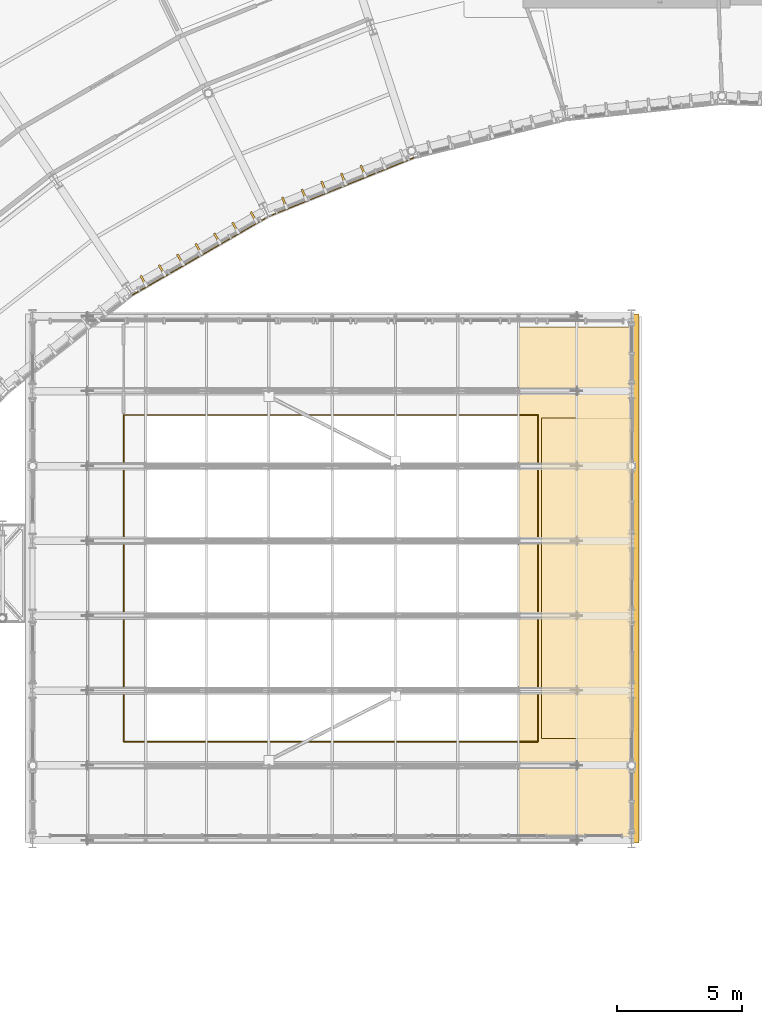
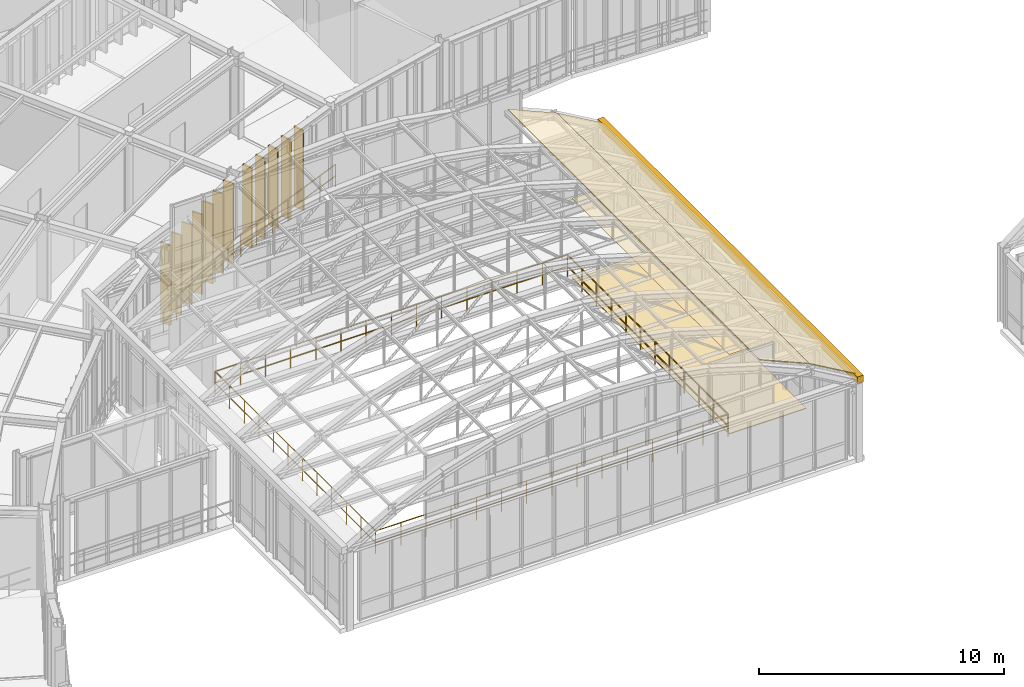
# One storey, part 142 of 148: 17 coverings, 4 railings.
"""IFC4 building model written with IfcOpenShell, lengths in metres."""

import ifcopenshell
import ifcopenshell.guid

model = None  # the IFC model being written
_history = None  # IfcOwnerHistory: only IFC2X3 demands one
_inside = {}  # id of a spatial element -> (the spatial element, [elements in it])
_under = {}  # id of a project, library or spatial element -> (it, [spatial elements below it])
_declared = {}  # id of a project -> (the project, [libraries it declares])
_typed = {}  # id of a type object -> (the type object, [elements of that type])
_made_of = {}  # id of a material, layer set ... -> (it, [elements and type objects made of it])


def new_model(schema):
    """Start an empty IFC model of exactly this schema.

    Asked for "IFC4X3", IfcOpenShell would pick the latest addendum, in which some entities
    have other attributes; the version numbers below select the first issue.
    IFC2X3 requires an IfcOwnerHistory on every rooted entity: one is made here for all.
    """
    global model, _history
    if schema == "IFC4X3":
        model = ifcopenshell.file(schema_version=(4, 3, 0, 0))
    else:
        model = ifcopenshell.file(schema=schema)
    _inside.clear()
    _under.clear()
    _declared.clear()
    _typed.clear()
    _made_of.clear()
    _history = None
    if model.schema == "IFC2X3":
        org = make("IfcOrganization", Name="unknown")
        user = make(
            "IfcPersonAndOrganization",
            ThePerson=make("IfcPerson", FamilyName="unknown"),
            TheOrganization=org,
        )
        app = make(
            "IfcApplication",
            ApplicationDeveloper=org,
            Version="unknown",
            ApplicationFullName="unknown",
            ApplicationIdentifier="unknown",
        )
        _history = make(
            "IfcOwnerHistory",
            OwningUser=user,
            OwningApplication=app,
            ChangeAction="ADDED",
            CreationDate=0,
        )
    return model


def make(cls, **values):
    """One entity of the class cls with the attributes given. An attribute that is None is left unset."""
    return model.create_entity(
        cls, **{name: value for name, value in values.items() if value is not None}
    )


def rooted(cls, **values):
    """An entity with a GlobalId (a new one), such as an element, a storey or a relation."""
    return make(cls, GlobalId=ifcopenshell.guid.new(), OwnerHistory=_history, **values)


def si_unit(unit_type, name, prefix=None):
    """IfcSIUnit, for example si_unit("LENGTHUNIT", "METRE", prefix="MILLI")."""
    return make("IfcSIUnit", UnitType=unit_type, Prefix=prefix, Name=name)


def assignment(units):
    """IfcUnitAssignment: the units of a project."""
    return None if units is None else make("IfcUnitAssignment", Units=units)


def point(xyz):
    """IfcCartesianPoint."""
    return None if xyz is None else make("IfcCartesianPoint", Coordinates=xyz)


def direction(xyz):
    """IfcDirection."""
    return None if xyz is None else make("IfcDirection", DirectionRatios=xyz)


def frame(location, z_axis=None, x_axis=None):
    """IfcAxis2Placement3D, a coordinate frame: its origin and axes. An axis left out is left unset."""
    return make(
        "IfcAxis2Placement3D",
        Location=point(location),
        Axis=direction(z_axis),
        RefDirection=direction(x_axis),
    )


def frame_2d(location, x_axis=None):
    """IfcAxis2Placement2D, a coordinate frame in the plane: its origin and x axis."""
    return make(
        "IfcAxis2Placement2D", Location=point(location), RefDirection=direction(x_axis)
    )


def origin():
    """The frame at (0, 0, 0) with its axes left unset."""
    return frame((0.0, 0.0, 0.0))


def origin_2d():
    """The frame at (0, 0) in the plane with its x axis left unset."""
    return frame_2d((0.0, 0.0))


def place(relative_to, where):
    """IfcLocalPlacement: puts the frame where relative to a parent placement (None: the world)."""
    return make(
        "IfcLocalPlacement", PlacementRelTo=relative_to, RelativePlacement=where
    )


def context(
    kind, dimensions, precision=None, world=None, true_north=None, identifier=None
):
    """IfcGeometricRepresentationContext, for example the 3D "Model" context."""
    return make(
        "IfcGeometricRepresentationContext",
        ContextIdentifier=identifier,
        ContextType=kind,
        CoordinateSpaceDimension=dimensions,
        Precision=precision,
        WorldCoordinateSystem=world,
        TrueNorth=true_north,
    )


def subcontext(parent, identifier, kind, view, scale=None):
    """IfcGeometricRepresentationSubContext, for example "Body" below "Model"."""
    return make(
        "IfcGeometricRepresentationSubContext",
        ContextIdentifier=identifier,
        ContextType=kind,
        ParentContext=parent,
        TargetScale=scale,
        TargetView=view,
    )


def project(units=None, contexts=None):
    """IfcProject with its units and contexts."""
    return rooted(
        "IfcProject",
        Name="project",
        RepresentationContexts=contexts,
        UnitsInContext=assignment(units),
    )


def spatial(cls, under=None, at=None, **own):
    """A site, building, storey or space (cls), placed at a placement, below another one or the project."""
    s = rooted(cls, ObjectPlacement=at, **own)
    if under is not None:
        _under.setdefault(under.id(), (under, []))[1].append(s)
    return s


def polyline(points):
    """IfcPolyline through the points."""
    return make("IfcPolyline", Points=[point(p) for p in points])


def profile(cls, at=None, kind="AREA", **sizes):
    """A parametric profile (cls). Its sizes go by their IFC names, for example OverallWidth=200.0."""
    return make(cls, ProfileType=kind, Position=at, **sizes)


def rectangle(**sizes):
    """IfcRectangleProfileDef."""
    return profile("IfcRectangleProfileDef", **sizes)


def circle(**sizes):
    """IfcCircleProfileDef."""
    return profile("IfcCircleProfileDef", **sizes)


def outline(outer, holes=None, kind="AREA"):
    """IfcArbitraryClosedProfileDef: a profile drawn as a closed curve; with holes, ...WithVoids."""
    if holes is None:
        return make("IfcArbitraryClosedProfileDef", ProfileType=kind, OuterCurve=outer)
    return make(
        "IfcArbitraryProfileDefWithVoids",
        ProfileType=kind,
        OuterCurve=outer,
        InnerCurves=holes,
    )


def extrude(swept, where, along, depth):
    """IfcExtrudedAreaSolid: the profile swept, set in the frame where, extruded along a direction by depth."""
    return make(
        "IfcExtrudedAreaSolid",
        SweptArea=swept,
        Position=where,
        ExtrudedDirection=direction(along),
        Depth=depth,
    )


def shape(context_of_items, identifier, shape_type, items):
    """IfcShapeRepresentation: the items that make up one representation, for example the "Body"."""
    return make(
        "IfcShapeRepresentation",
        ContextOfItems=context_of_items,
        RepresentationIdentifier=identifier,
        RepresentationType=shape_type,
        Items=items,
    )


def material(Name=None, Category=None):
    """IfcMaterial."""
    return make("IfcMaterial", Name=Name, Category=Category)


def layer(
    of_material, thickness, ventilated=None, Name=None, Category=None, Priority=None
):
    """IfcMaterialLayer: one layer of a wall or slab, of a material (None: an air gap)."""
    return make(
        "IfcMaterialLayer",
        Material=of_material,
        LayerThickness=thickness,
        IsVentilated=ventilated,
        Name=Name,
        Category=Category,
        Priority=Priority,
    )


def layer_set(layers, Name=None):
    """IfcMaterialLayerSet."""
    return make("IfcMaterialLayerSet", MaterialLayers=layers, LayerSetName=Name)


def made_of(thing, what):
    """Note that an element or type object is made of a material, layer set ...; save() writes the relation."""
    if what is not None:
        _made_of.setdefault(what.id(), (what, []))[1].append(thing)
    return thing


def type_object(cls, material=None, **own):
    """A type object (cls), such as IfcWallType, which elements share."""
    return made_of(rooted(cls, **own), material)


def element(
    cls,
    number,
    at=None,
    inside=None,
    cuts=None,
    type_object=None,
    material=None,
    context=None,
    identifier="Body",
    shape_type=None,
    held_by="IfcProductDefinitionShape",
    body=None,
    shapes=None,
    **own,
):
    """One element of the class cls, such as IfcWall. Its Tag is "e" and its number.

    at: its placement. inside: the storey or other place that contains it. cuts: it is an
    opening in that element (IfcRelVoidsElement). A single representation is given by context,
    identifier, shape_type and body (its items); several are given by shapes. held_by: the class
    of the entity that holds the representations. save() writes the other relations.
    """
    e = rooted(cls, Tag="e%d" % number, ObjectPlacement=at, **own)
    if body is not None:
        shapes = [shape(context, identifier, shape_type, body)]
    if shapes is not None:
        e.Representation = make(held_by, Representations=shapes)
    if inside is not None:
        _inside.setdefault(inside.id(), (inside, []))[1].append(e)
    if cuts is not None:
        rooted(
            "IfcRelVoidsElement", RelatingBuildingElement=cuts, RelatedOpeningElement=e
        )
    if type_object is not None:
        _typed.setdefault(type_object.id(), (type_object, []))[1].append(e)
    return made_of(e, material)


def aggregate(whole, parts):
    """IfcRelAggregates: a whole, such as a stair, and the parts it consists of."""
    return rooted("IfcRelAggregates", RelatingObject=whole, RelatedObjects=parts)


def save(model, path):
    """Write the relations noted so far, then the file.

    IfcRelAggregates (storeys below a building ...), IfcRelContainedInSpatialStructure (elements
    in a storey), IfcRelDefinesByType, IfcRelAssociatesMaterial and IfcRelDeclares: one each for
    every whole, place, type object, material and project.
    """
    for whole, parts in _under.values():
        aggregate(whole, parts)
    for where, things in _inside.values():
        rooted(
            "IfcRelContainedInSpatialStructure",
            RelatedElements=things,
            RelatingStructure=where,
        )
    for kind, things in _typed.values():
        rooted("IfcRelDefinesByType", RelatedObjects=things, RelatingType=kind)
    for what, things in _made_of.values():
        rooted("IfcRelAssociatesMaterial", RelatedObjects=things, RelatingMaterial=what)
    for by, libraries in _declared.values():
        rooted("IfcRelDeclares", RelatingContext=by, RelatedDefinitions=libraries)
    model.write(path)


model = new_model("IFC4")

# Units and contexts
model_context = context("Model", 3, precision=1e-05, world=origin(), true_north=direction((0.0, 1.0)))
body_context = subcontext(model_context, "Body", "Model", "MODEL_VIEW")
ifc_project = project(units=[si_unit("LENGTHUNIT", "METRE"), si_unit("AREAUNIT", "SQUARE_METRE"), si_unit("VOLUMEUNIT", "CUBIC_METRE"), si_unit("PLANEANGLEUNIT", "RADIAN"), si_unit("MASSUNIT", "GRAM", prefix="KILO"), si_unit("THERMODYNAMICTEMPERATUREUNIT", "KELVIN"), si_unit("POWERUNIT", "WATT")], contexts=[model_context])

# Site, building, storey
site_placement = place(None, origin())
site = spatial("IfcSite", under=ifc_project, at=site_placement, CompositionType="ELEMENT")
building_placement = place(site_placement, origin())
building = spatial("IfcBuilding", under=site, at=building_placement, Name="Solvatero Civic Police Headquarters", CompositionType="ELEMENT")
storey_placement = place(building_placement, frame((0.0, 0.0, 5.10009765625)))
storey = spatial("IfcBuildingStorey", under=building, at=storey_placement, Name="L01", CompositionType="ELEMENT", Elevation=5.10009765625)

# Coverings
ifc_material_1 = material(Name="Mineral-Fibre Acoustic Tile", Category="gypsum")
ifc_layer_1 = layer(ifc_material_1, 0.02490234375)
ifc_layer_set_1 = layer_set([ifc_layer_1], Name="Mineral-Fibre Acoustic Tile")
covering_type_1 = type_object("IfcCoveringType", Name="COV-CEIL-AC", PredefinedType="CEILING", material=ifc_layer_set_1)
covering_1_placement = place(storey_placement, frame((0.0, 0.0, 3.954833984375)))
element("IfcCovering", 1, at=covering_1_placement, inside=storey, type_object=covering_type_1, Name="Acoustic Ceiling Inter-Agency Civil Protection Desk Gallery", PredefinedType="CEILING", context=body_context, shape_type="SweptSolid", body=[
    extrude(outline(polyline([(85.179931640625, 45.580078125), (85.179931640625, 58.419921875), (88.820068359375, 58.419921875), (88.820068359375, 45.580078125), (85.179931640625, 45.580078125)])), origin(), (0.0, 0.0, 1.0), 0.025146484375),
])
ifc_material_2 = material(Name="Anodized Bronze Aluminium", Category="aluminium")
ifc_layer_2 = layer(ifc_material_2, 0.080078125)
ifc_layer_set_2 = layer_set([ifc_layer_2], Name="Anodized Bronze Aluminium")
covering_type_2 = type_object("IfcCoveringType", Name="COV-FIN-480", PredefinedType="CLADDING", material=ifc_layer_set_2)
for number, where, z_axis, x_axis, name in (
    (2, (78.04443359375, 68.3251953125, -0.02001953125), (0.0, 0.0, 1.0), (-0.927183854567, -0.374606593416, 0.0), "Vertical Brise-Soleil Fin 0213"),
    (3, (77.25634765625, 68.006591796875, -0.02001953125), (0.0, 0.0, 1.0), (-0.927183854567, -0.374606593416, 0.0), "Vertical Brise-Soleil Fin 0214"),
    (4, (76.46826171875, 67.688232421875, -0.02001953125), (0.0, 0.0, 1.0), (-0.927183854567, -0.374606593416, 0.0), "Vertical Brise-Soleil Fin 0215"),
    (5, (75.68017578125, 67.369873046875, -0.02001953125), (0.0, 0.0, 1.0), (-0.927183854567, -0.374606593416, 0.0), "Vertical Brise-Soleil Fin 0216"),
    (6, (74.89208984375, 67.051513671875, -0.02001953125), (0.0, 0.0, 1.0), (-0.927183854567, -0.374606593416, 0.0), "Vertical Brise-Soleil Fin 0217"),
    (7, (73.662109375, 66.4736328125, -0.02001953125), (0.0, 0.0, 1.0), (-0.866025403784, -0.5, 0.0), "Vertical Brise-Soleil Fin 0227"),
    (8, (72.92578125, 66.048583984375, -0.02001953125), (0.0, 0.0, 1.0), (-0.866025403784, -0.5, 0.0), "Vertical Brise-Soleil Fin 0228"),
    (9, (72.189697265625, 65.62353515625, -0.02001953125), (0.0, 0.0, 1.0), (-0.866025403784, -0.5, 0.0), "Vertical Brise-Soleil Fin 0229"),
    (10, (71.45361328125, 65.198486328125, -0.02001953125), (0.0, 0.0, 1.0), (-0.866025403784, -0.5, 0.0), "Vertical Brise-Soleil Fin 0230"),
    (11, (70.717529296875, 64.773681640625, -0.02001953125), (0.0, 0.0, 1.0), (-0.866025403784, -0.5, 0.0), "Vertical Brise-Soleil Fin 0231"),
    (12, (69.9814453125, 64.3486328125, -0.02001953125), (0.0, 0.0, 1.0), (-0.866025403784, -0.5, 0.0), "Vertical Brise-Soleil Fin 0232"),
    (13, (69.245361328125, 63.923583984375, -0.02001953125), (0.0, 0.0, 1.0), (-0.866025403784, -0.5, 0.0), "Vertical Brise-Soleil Fin 0233"),
):
    element("IfcCovering", number, at=place(storey_placement, frame(where, z_axis=z_axis, x_axis=x_axis)), inside=storey, type_object=covering_type_2, Name=name, PredefinedType="CLADDING", context=body_context, shape_type="SweptSolid", body=[
        extrude(rectangle(XDim=0.080078125, YDim=0.47998046875, at=origin_2d()), origin(), (0.0, 0.0, 1.0), 3.97998046875),
    ])
ifc_material_3 = material(Name="Venetian Terrazzo Stone", Category="masonry")
ifc_layer_3 = layer(ifc_material_3, 0.034912109375)
ifc_layer_set_3 = layer_set([ifc_layer_3], Name="Venetian Terrazzo Stone")
covering_type_3 = type_object("IfcCoveringType", Name="COV-FLR-TER", PredefinedType="FLOORING", material=ifc_layer_set_3)
covering_2_placement = place(storey_placement, origin())
element("IfcCovering", 14, at=covering_2_placement, inside=storey, type_object=covering_type_3, Name="Flooring Inter-Agency Civil Protection Desk Gallery", PredefinedType="FLOORING", context=body_context, shape_type="SweptSolid", body=[
    extrude(outline(polyline([(85.179931640625, 45.580078125), (85.179931640625, 58.419921875), (88.820068359375, 58.419921875), (88.820068359375, 45.580078125), (85.179931640625, 45.580078125)])), origin(), (0.0, 0.0, 1.0), 0.034912109375),
])
ifc_layer_4 = layer(ifc_material_2, 0.0400390625)
ifc_layer_set_4 = layer_set([ifc_layer_4], Name="Anodized Bronze Aluminium")
covering_type_4 = type_object("IfcCoveringType", Name="COV-RF-ZINC", PredefinedType="ROOFING", material=ifc_layer_set_4)
covering_3_placement = place(storey_placement, frame((84.27001953125, 41.5, 6.52001953125), z_axis=(0.396771081377, 0.0, 0.917917593787), x_axis=(0.917917593787, 0.0, -0.396771081377)))
element("IfcCovering", 15, at=covering_3_placement, inside=storey, type_object=covering_type_4, Name="VLT2 Standing-Seam Vault Roof Covering 9", PredefinedType="ROOFING", context=body_context, shape_type="SweptSolid", body=[
    extrude(outline(polyline([(0.0, 0.0), (2.540035167135253, 0.0), (2.540035167135253, 20.580078125), (0.0, 20.580078125), (0.0, 0.0)])), origin(), (0.0, 0.0, -1.0), 0.0400390625),
])
covering_4_placement = place(storey_placement, frame((86.6015625, 41.5, 5.51220703125), z_axis=(0.500861974831, 0.0, 0.865527170093), x_axis=(0.865527170093, 0.0, -0.500861974831)))
element("IfcCovering", 16, at=covering_4_placement, inside=storey, type_object=covering_type_4, Name="VLT2 Standing-Seam Vault Roof Covering 10", PredefinedType="ROOFING", context=body_context, shape_type="SweptSolid", body=[
    extrude(outline(polyline([(0.0, 0.0), (2.5400546673651396, 0.0), (2.5400546673651396, 20.580078125), (0.0, 20.580078125), (0.0, 0.0)])), origin(), (0.0, 0.0, -1.0), 0.0400390625),
])
ifc_material_4 = material(Name="Cream Limestone Ashlar", Category="masonry")
ifc_layer_5 = layer(ifc_material_4, 0.10009765625)
ifc_layer_set_5 = layer_set([ifc_layer_5], Name="Cream Limestone Ashlar")
covering_type_5 = type_object("IfcCoveringType", Name="COV-TRIM-STONE", PredefinedType="CLADDING", material=ifc_layer_set_5)
covering_5_placement = place(storey_placement, frame((88.949951171875, 52.0, 3.77978515625), z_axis=(0.0, 0.0, 1.0), x_axis=(1.0, 0.0, 0.0)))
element("IfcCovering", 17, at=covering_5_placement, inside=storey, type_object=covering_type_5, Name="Classical Limestone Trim TRIM-V2-L01-EAVE-E", PredefinedType="CLADDING", context=body_context, shape_type="SweptSolid", body=[
    extrude(rectangle(XDim=0.280029296875, YDim=21.199951171875, at=origin_2d()), origin(), (0.0, 0.0, 1.0), 0.340087890625),
])

# Railings
ifc_material_5 = material(Name="Anodized Bronze and Laminated Glass", Category="glass")
railing_type = type_object("IfcRailingType", Name="RL-BAL-115", PredefinedType="BALUSTRADE", material=ifc_material_5)
railing_1_placement = place(storey_placement, frame((68.449951171875, 45.449951171875, 0.0)))
element("IfcRailing", 18, at=railing_1_placement, inside=storey, type_object=railing_type, Name="L01 Double-Height Gallery Guardrail RL-VOID-L01-CMD SE", PredefinedType="BALUSTRADE", context=body_context, shape_type="SweptSolid", body=[
    extrude(circle(Radius=0.02392578125, at=origin_2d()), frame((0.0, 0.0, 1.1259765625), z_axis=(1.0, 0.0, 0.0), x_axis=(0.0, 1.0, 0.0)), (0.0, 0.0, 1.0), 16.60009765625),
    extrude(circle(Radius=0.02392578125, at=origin_2d()), frame((0.0, 0.0, 0.55078125), z_axis=(1.0, 0.0, 0.0), x_axis=(0.0, 1.0, 0.0)), (0.0, 0.0, 1.0), 16.60009765625),
    extrude(circle(Radius=0.02392578125, at=origin_2d()), frame((16.60009765625, 0.0, 1.1259765625), z_axis=(0.0, 1.0, 0.0), x_axis=(-1.0, 0.0, 0.0)), (0.0, 0.0, 1.0), 13.10009765625),
    extrude(circle(Radius=0.02392578125, at=origin_2d()), frame((16.60009765625, 0.0, 0.55078125), z_axis=(0.0, 1.0, 0.0), x_axis=(-1.0, 0.0, 0.0)), (0.0, 0.0, 1.0), 13.10009765625),
    extrude(circle(Radius=0.02099609375, at=origin_2d()), origin(), (0.0, 0.0, 1.0), 1.101806640625),
    extrude(circle(Radius=0.02099609375, at=origin_2d()), frame((1.185791015625, 0.0, 0.0)), (0.0, 0.0, 1.0), 1.101806640625),
    extrude(circle(Radius=0.02099609375, at=origin_2d()), frame((2.371337890625, 0.0, 0.0)), (0.0, 0.0, 1.0), 1.101806640625),
    extrude(circle(Radius=0.02099609375, at=origin_2d()), frame((3.55712890625, 0.0, 0.0)), (0.0, 0.0, 1.0), 1.101806640625),
    extrude(circle(Radius=0.02099609375, at=origin_2d()), frame((4.742919921875, 0.0, 0.0)), (0.0, 0.0, 1.0), 1.101806640625),
    extrude(circle(Radius=0.02099609375, at=origin_2d()), frame((5.9287109375, 0.0, 0.0)), (0.0, 0.0, 1.0), 1.101806640625),
    extrude(circle(Radius=0.02099609375, at=origin_2d()), frame((7.1142578125, 0.0, 0.0)), (0.0, 0.0, 1.0), 1.101806640625),
    extrude(circle(Radius=0.02099609375, at=origin_2d()), frame((8.300048828125, 0.0, 0.0)), (0.0, 0.0, 1.0), 1.101806640625),
    extrude(circle(Radius=0.02099609375, at=origin_2d()), frame((9.48583984375, 0.0, 0.0)), (0.0, 0.0, 1.0), 1.101806640625),
    extrude(circle(Radius=0.02099609375, at=origin_2d()), frame((10.67138671875, 0.0, 0.0)), (0.0, 0.0, 1.0), 1.101806640625),
    extrude(circle(Radius=0.02099609375, at=origin_2d()), frame((11.857177734375, 0.0, 0.0)), (0.0, 0.0, 1.0), 1.101806640625),
    extrude(circle(Radius=0.02099609375, at=origin_2d()), frame((13.04296875, 0.0, 0.0)), (0.0, 0.0, 1.0), 1.101806640625),
    extrude(circle(Radius=0.02099609375, at=origin_2d()), frame((14.228759765625, 0.0, 0.0)), (0.0, 0.0, 1.0), 1.101806640625),
    extrude(circle(Radius=0.02099609375, at=origin_2d()), frame((15.414306640625, 0.0, 0.0)), (0.0, 0.0, 1.0), 1.101806640625),
    extrude(circle(Radius=0.02099609375, at=origin_2d()), frame((16.60009765625, 0.0, 0.0)), (0.0, 0.0, 1.0), 1.101806640625),
    extrude(circle(Radius=0.02099609375, at=origin_2d()), frame((16.60009765625, 1.19091796875, 0.0)), (0.0, 0.0, 1.0), 1.101806640625),
    extrude(circle(Radius=0.02099609375, at=origin_2d()), frame((16.60009765625, 2.3818359375, 0.0)), (0.0, 0.0, 1.0), 1.101806640625),
    extrude(circle(Radius=0.02099609375, at=origin_2d()), frame((16.60009765625, 3.57275390625, 0.0)), (0.0, 0.0, 1.0), 1.101806640625),
    extrude(circle(Radius=0.02099609375, at=origin_2d()), frame((16.60009765625, 4.763671875, 0.0)), (0.0, 0.0, 1.0), 1.101806640625),
    extrude(circle(Radius=0.02099609375, at=origin_2d()), frame((16.60009765625, 5.95458984375, 0.0)), (0.0, 0.0, 1.0), 1.101806640625),
    extrude(circle(Radius=0.02099609375, at=origin_2d()), frame((16.60009765625, 7.1455078125, 0.0)), (0.0, 0.0, 1.0), 1.101806640625),
    extrude(circle(Radius=0.02099609375, at=origin_2d()), frame((16.60009765625, 8.33642578125, 0.0)), (0.0, 0.0, 1.0), 1.101806640625),
    extrude(circle(Radius=0.02099609375, at=origin_2d()), frame((16.60009765625, 9.52734375, 0.0)), (0.0, 0.0, 1.0), 1.101806640625),
    extrude(circle(Radius=0.02099609375, at=origin_2d()), frame((16.60009765625, 10.71826171875, 0.0)), (0.0, 0.0, 1.0), 1.101806640625),
    extrude(circle(Radius=0.02099609375, at=origin_2d()), frame((16.60009765625, 11.9091796875, 0.0)), (0.0, 0.0, 1.0), 1.101806640625),
    extrude(circle(Radius=0.02099609375, at=origin_2d()), frame((16.60009765625, 13.10009765625, 0.0)), (0.0, 0.0, 1.0), 1.101806640625),
])
railing_2_placement = place(storey_placement, frame((85.050048828125, 58.550048828125, 0.0)))
element("IfcRailing", 19, at=railing_2_placement, inside=storey, type_object=railing_type, Name="L01 Double-Height Gallery Guardrail RL-VOID-L01-CMD NW", PredefinedType="BALUSTRADE", context=body_context, shape_type="SweptSolid", body=[
    extrude(circle(Radius=0.02392578125, at=origin_2d()), frame((0.0, 0.0, 1.1259765625), z_axis=(-1.0, 0.0, 0.0), x_axis=(0.0, -1.0, 0.0)), (0.0, 0.0, 1.0), 16.60009765625),
    extrude(circle(Radius=0.02392578125, at=origin_2d()), frame((0.0, 0.0, 0.55078125), z_axis=(-1.0, 0.0, 0.0), x_axis=(0.0, -1.0, 0.0)), (0.0, 0.0, 1.0), 16.60009765625),
    extrude(circle(Radius=0.02392578125, at=origin_2d()), frame((-16.60009765625, 0.0, 1.1259765625), z_axis=(0.0, -1.0, 0.0), x_axis=(1.0, 0.0, 0.0)), (0.0, 0.0, 1.0), 13.080078125),
    extrude(circle(Radius=0.02392578125, at=origin_2d()), frame((-16.60009765625, 0.0, 0.55078125), z_axis=(0.0, -1.0, 0.0), x_axis=(1.0, 0.0, 0.0)), (0.0, 0.0, 1.0), 13.080078125),
    extrude(circle(Radius=0.02099609375, at=origin_2d()), origin(), (0.0, 0.0, 1.0), 1.101806640625),
    extrude(circle(Radius=0.02099609375, at=origin_2d()), frame((-1.185791015625, 0.0, 0.0)), (0.0, 0.0, 1.0), 1.101806640625),
    extrude(circle(Radius=0.02099609375, at=origin_2d()), frame((-2.371337890625, 0.0, 0.0)), (0.0, 0.0, 1.0), 1.101806640625),
    extrude(circle(Radius=0.02099609375, at=origin_2d()), frame((-3.55712890625, 0.0, 0.0)), (0.0, 0.0, 1.0), 1.101806640625),
    extrude(circle(Radius=0.02099609375, at=origin_2d()), frame((-4.742919921875, 0.0, 0.0)), (0.0, 0.0, 1.0), 1.101806640625),
    extrude(circle(Radius=0.02099609375, at=origin_2d()), frame((-5.9287109375, 0.0, 0.0)), (0.0, 0.0, 1.0), 1.101806640625),
    extrude(circle(Radius=0.02099609375, at=origin_2d()), frame((-7.1142578125, 0.0, 0.0)), (0.0, 0.0, 1.0), 1.101806640625),
    extrude(circle(Radius=0.02099609375, at=origin_2d()), frame((-8.300048828125, 0.0, 0.0)), (0.0, 0.0, 1.0), 1.101806640625),
    extrude(circle(Radius=0.02099609375, at=origin_2d()), frame((-9.48583984375, 0.0, 0.0)), (0.0, 0.0, 1.0), 1.101806640625),
    extrude(circle(Radius=0.02099609375, at=origin_2d()), frame((-10.67138671875, 0.0, 0.0)), (0.0, 0.0, 1.0), 1.101806640625),
    extrude(circle(Radius=0.02099609375, at=origin_2d()), frame((-11.857177734375, 0.0, 0.0)), (0.0, 0.0, 1.0), 1.101806640625),
    extrude(circle(Radius=0.02099609375, at=origin_2d()), frame((-13.04296875, 0.0, 0.0)), (0.0, 0.0, 1.0), 1.101806640625),
    extrude(circle(Radius=0.02099609375, at=origin_2d()), frame((-14.228759765625, 0.0, 0.0)), (0.0, 0.0, 1.0), 1.101806640625),
    extrude(circle(Radius=0.02099609375, at=origin_2d()), frame((-15.414306640625, 0.0, 0.0)), (0.0, 0.0, 1.0), 1.101806640625),
    extrude(circle(Radius=0.02099609375, at=origin_2d()), frame((-16.60009765625, 0.0, 0.0)), (0.0, 0.0, 1.0), 1.101806640625),
    extrude(circle(Radius=0.02099609375, at=origin_2d()), frame((-16.60009765625, -1.189208984375, 0.0)), (0.0, 0.0, 1.0), 1.101806640625),
    extrude(circle(Radius=0.02099609375, at=origin_2d()), frame((-16.60009765625, -2.378173828125, 0.0)), (0.0, 0.0, 1.0), 1.101806640625),
    extrude(circle(Radius=0.02099609375, at=origin_2d()), frame((-16.60009765625, -3.5673828125, 0.0)), (0.0, 0.0, 1.0), 1.101806640625),
    extrude(circle(Radius=0.02099609375, at=origin_2d()), frame((-16.60009765625, -4.75634765625, 0.0)), (0.0, 0.0, 1.0), 1.101806640625),
    extrude(circle(Radius=0.02099609375, at=origin_2d()), frame((-16.60009765625, -5.945556640625, 0.0)), (0.0, 0.0, 1.0), 1.101806640625),
    extrude(circle(Radius=0.02099609375, at=origin_2d()), frame((-16.60009765625, -7.134521484375, 0.0)), (0.0, 0.0, 1.0), 1.101806640625),
    extrude(circle(Radius=0.02099609375, at=origin_2d()), frame((-16.60009765625, -8.32373046875, 0.0)), (0.0, 0.0, 1.0), 1.101806640625),
    extrude(circle(Radius=0.02099609375, at=origin_2d()), frame((-16.60009765625, -9.5126953125, 0.0)), (0.0, 0.0, 1.0), 1.101806640625),
    extrude(circle(Radius=0.02099609375, at=origin_2d()), frame((-16.60009765625, -10.701904296875, 0.0)), (0.0, 0.0, 1.0), 1.101806640625),
    extrude(circle(Radius=0.02099609375, at=origin_2d()), frame((-16.60009765625, -11.890869140625, 0.0)), (0.0, 0.0, 1.0), 1.101806640625),
    extrude(circle(Radius=0.02099609375, at=origin_2d()), frame((-16.60009765625, -13.080078125, 0.0)), (0.0, 0.0, 1.0), 1.101806640625),
])
railing_3_placement = place(storey_placement, frame((80.07568359375, 68.8544921875, 0.0)))
element("IfcRailing", 20, at=railing_3_placement, inside=storey, type_object=railing_type, Name="Glazed Facade Sill Balustrade RL-L01-ARCIN-B04", PredefinedType="BALUSTRADE", context=body_context, shape_type="SweptSolid", body=[
    extrude(circle(Radius=0.02392578125, at=origin_2d()), frame((0.0, 0.0, 1.1259765625), z_axis=(-0.927193595022, -0.374582484041, 0.0), x_axis=(0.374582484041, -0.927193595022, 0.0)), (0.0, 0.0, 1.0), 6.286376953125),
    extrude(circle(Radius=0.02392578125, at=origin_2d()), frame((0.0, 0.0, 0.55078125), z_axis=(-0.927193595022, -0.374582484041, 0.0), x_axis=(0.374582484041, -0.927193595022, 0.0)), (0.0, 0.0, 1.0), 6.286376953125),
    extrude(circle(Radius=0.02099609375, at=origin_2d()), origin(), (0.0, 0.0, 1.0), 1.101806640625),
    extrude(circle(Radius=0.02099609375, at=origin_2d()), frame((-0.971435546875, -0.392578125, 0.0)), (0.0, 0.0, 1.0), 1.101806640625),
    extrude(circle(Radius=0.02099609375, at=origin_2d()), frame((-1.94287109375, -0.784912109375, 0.0)), (0.0, 0.0, 1.0), 1.101806640625),
    extrude(circle(Radius=0.02099609375, at=origin_2d()), frame((-2.914306640625, -1.17724609375, 0.0)), (0.0, 0.0, 1.0), 1.101806640625),
    extrude(circle(Radius=0.02099609375, at=origin_2d()), frame((-3.8857421875, -1.56982421875, 0.0)), (0.0, 0.0, 1.0), 1.101806640625),
    extrude(circle(Radius=0.02099609375, at=origin_2d()), frame((-4.857177734375, -1.96240234375, 0.0)), (0.0, 0.0, 1.0), 1.101806640625),
    extrude(circle(Radius=0.02099609375, at=origin_2d()), frame((-5.82861328125, -2.354736328125, 0.0)), (0.0, 0.0, 1.0), 1.101806640625),
])
railing_4_placement = place(storey_placement, frame((74.2470703125, 66.499755859375, 0.0)))
element("IfcRailing", 21, at=railing_4_placement, inside=storey, type_object=railing_type, Name="Glazed Facade Sill Balustrade RL-L01-ARCIN-B05", PredefinedType="BALUSTRADE", context=body_context, shape_type="SweptSolid", body=[
    extrude(circle(Radius=0.02392578125, at=origin_2d()), frame((0.0, 0.0, 1.1259765625), z_axis=(-0.866023907196, -0.500002592159, 0.0), x_axis=(0.500002592159, -0.866023907196, 0.0)), (0.0, 0.0, 1.0), 6.28662109375),
    extrude(circle(Radius=0.02392578125, at=origin_2d()), frame((0.0, 0.0, 0.55078125), z_axis=(-0.866023907196, -0.500002592159, 0.0), x_axis=(0.500002592159, -0.866023907196, 0.0)), (0.0, 0.0, 1.0), 6.28662109375),
    extrude(circle(Radius=0.02099609375, at=origin_2d()), origin(), (0.0, 0.0, 1.0), 1.101806640625),
    extrude(circle(Radius=0.02099609375, at=origin_2d()), frame((-0.907470703125, -0.52392578125, 0.0)), (0.0, 0.0, 1.0), 1.101806640625),
    extrude(circle(Radius=0.02099609375, at=origin_2d()), frame((-1.814697265625, -1.0478515625, 0.0)), (0.0, 0.0, 1.0), 1.101806640625),
    extrude(circle(Radius=0.02099609375, at=origin_2d()), frame((-2.72216796875, -1.57177734375, 0.0)), (0.0, 0.0, 1.0), 1.101806640625),
    extrude(circle(Radius=0.02099609375, at=origin_2d()), frame((-3.629638671875, -2.095458984375, 0.0)), (0.0, 0.0, 1.0), 1.101806640625),
    extrude(circle(Radius=0.02099609375, at=origin_2d()), frame((-4.536865234375, -2.619384765625, 0.0)), (0.0, 0.0, 1.0), 1.101806640625),
    extrude(circle(Radius=0.02099609375, at=origin_2d()), frame((-5.4443359375, -3.143310546875, 0.0)), (0.0, 0.0, 1.0), 1.101806640625),
])

save(model, "model.ifc")
